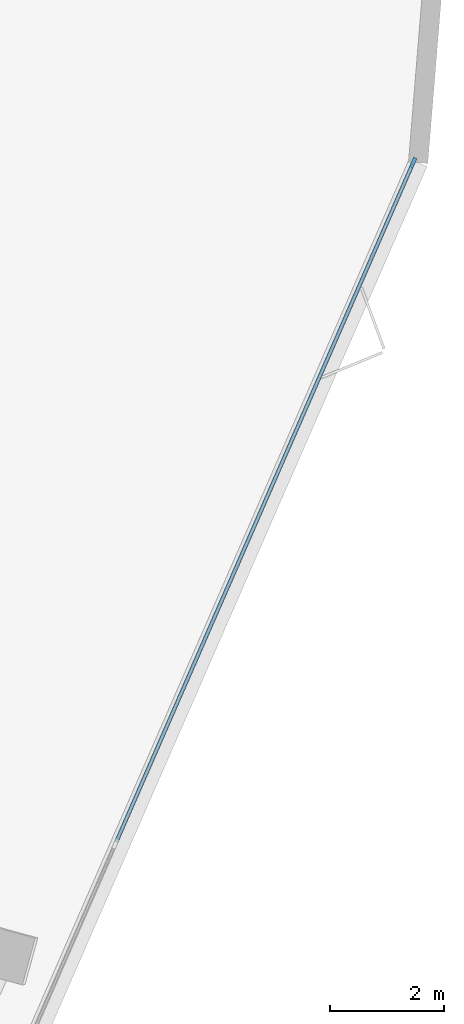
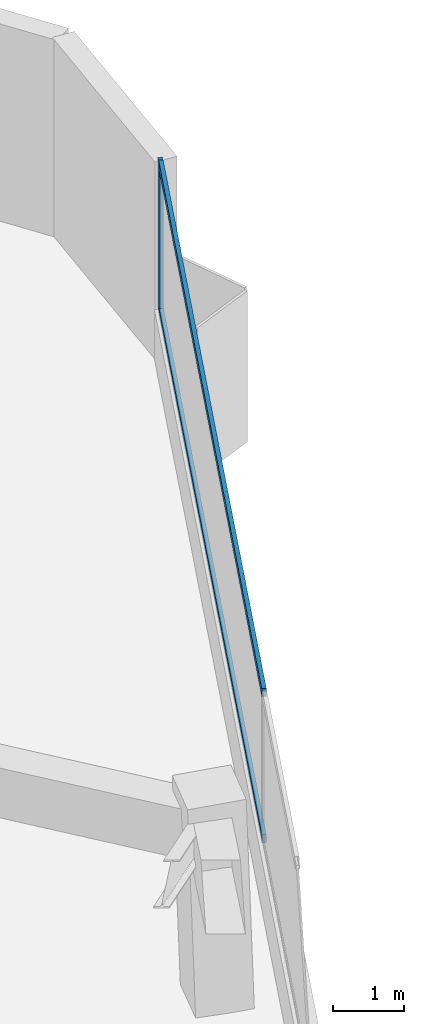
# One storey, part 9 of 18: 3 members, 1 element without a shape of its own.
"""IFC4 building model written with IfcOpenShell, lengths in metres."""

from ifc_helpers import new_model, si_unit, direction, frame, origin, origin_2d, place, context, subcontext, project, spatial, rectangle, extrude, material, layer, layer_set, material_profile, profile_set, type_object, element, aggregate, save


model = new_model("IFC4")

# Units and contexts
model_context = context("Model", 3, precision=1e-05, world=origin(), true_north=direction((0.0, 1.0)))
body_context = subcontext(model_context, "Body", "Model", "MODEL_VIEW")
ifc_project = project(units=[si_unit("LENGTHUNIT", "METRE"), si_unit("AREAUNIT", "SQUARE_METRE"), si_unit("VOLUMEUNIT", "CUBIC_METRE"), si_unit("PLANEANGLEUNIT", "RADIAN"), si_unit("MASSUNIT", "GRAM", prefix="KILO")], contexts=[model_context])

# Site, building, storey
site_placement = place(None, origin())
site = spatial("IfcSite", under=ifc_project, at=site_placement, CompositionType="ELEMENT")
building_placement = place(site_placement, origin())
building = spatial("IfcBuilding", under=site, at=building_placement, Name="Talyreon Biosciences Tower", CompositionType="ELEMENT")
storey_placement = place(building_placement, frame((0.0, 0.0, 89.60009765625)))
storey = spatial("IfcBuildingStorey", under=building, at=storey_placement, Name="L23", CompositionType="ELEMENT", Elevation=89.60009765625)

# Curtain wall, members
ifc_material_1 = material(Name="Thermally broken aluminium and low-E glazing", Category="aluminium")
ifc_layer = layer(ifc_material_1, 0.18994140625)
ifc_layer_set = layer_set([ifc_layer], Name="Thermally broken aluminium and low-E glazing")
curtain_wall_type = type_object("IfcCurtainWallType", Name="CurtainWall_Zone2Genomics", PredefinedType="NOTDEFINED", material=ifc_layer_set)
curtain_wall_placement = place(storey_placement, origin())
curtain_wall = element("IfcCurtainWall", 1, at=curtain_wall_placement, inside=storey, type_object=curtain_wall_type, Name="L23 Unitised Curtain Wall FCW-L23-08", PredefinedType="NOTDEFINED")
ifc_material_2 = material(Name="Anodised thermally broken aluminium", Category="aluminium")
ifc_material_profile_1 = material_profile(ifc_material_2, rectangle(XDim=0.06494140625, YDim=0.179931640625, at=origin_2d()), Name="ALUM MULLION 65x180")
ifc_profile_set_1 = profile_set([ifc_material_profile_1], Name="Anodised thermally broken aluminium")
member_type_1 = type_object("IfcMemberType", Name="CWMullion_65x180", PredefinedType="MULLION", material=ifc_profile_set_1)
member_1_placement = place(storey_placement, frame((96.8974609375, 83.07275390625, 0.809814453125), z_axis=(0.0, 0.0, 1.0), x_axis=(0.916278218967, -0.400542414041, 0.0)))
member_1 = element("IfcMember", 2, at=member_1_placement, type_object=member_type_1, Name="CW3 mullion 1", PredefinedType="MULLION", context=body_context, shape_type="SweptSolid", body=[
    extrude(rectangle(XDim=0.06494140625, YDim=0.179931640625, at=origin_2d()), origin(), (0.0, 0.0, 1.0), 2.565185546875),
])
ifc_material_profile_2 = material_profile(ifc_material_2, rectangle(XDim=0.06494140625, YDim=0.139892578125, at=origin_2d()), Name="ALUM TRANSOM 65x140")
ifc_profile_set_2 = profile_set([ifc_material_profile_2], Name="Anodised thermally broken aluminium")
member_type_2 = type_object("IfcMemberType", Name="CWTransom_65x140", PredefinedType="USERDEFINED", material=ifc_profile_set_2)
member_2_placement = place(storey_placement, frame((96.884521484375, 83.04296875, 0.84228515625), z_axis=(-0.400543831876, -0.916277599173, 0.0), x_axis=(0.916277599173, -0.400543831876, 0.0)))
member_2 = element("IfcMember", 3, at=member_2_placement, type_object=member_type_2, Name="CW3 transom 1.1", ObjectType="TRANSOM", PredefinedType="USERDEFINED", context=body_context, shape_type="SweptSolid", body=[
    extrude(rectangle(XDim=0.06494140625, YDim=0.139892578125, at=origin_2d()), origin(), (0.0, 0.0, 1.0), 12.994384765625),
])
member_3_placement = place(storey_placement, frame((96.884521484375, 83.04296875, 3.34228515625), z_axis=(-0.400543831876, -0.916277599173, 0.0), x_axis=(0.916277599173, -0.400543831876, 0.0)))
member_3 = element("IfcMember", 4, at=member_3_placement, type_object=member_type_2, Name="CW3 transom 1.2", ObjectType="TRANSOM", PredefinedType="USERDEFINED", context=body_context, shape_type="SweptSolid", body=[
    extrude(rectangle(XDim=0.06494140625, YDim=0.139892578125, at=origin_2d()), origin(), (0.0, 0.0, 1.0), 12.994384765625),
])
aggregate(curtain_wall, [member_1, member_2, member_3])

save(model, "model.ifc")
